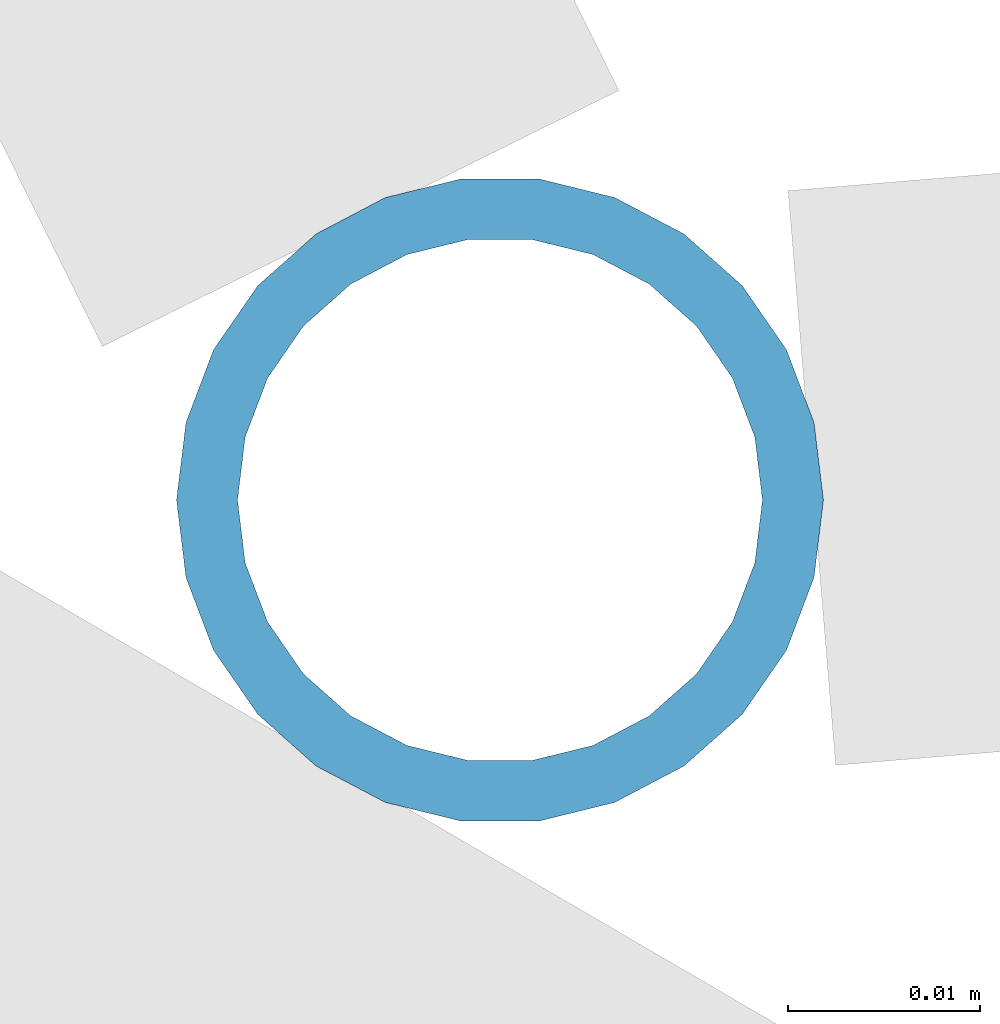
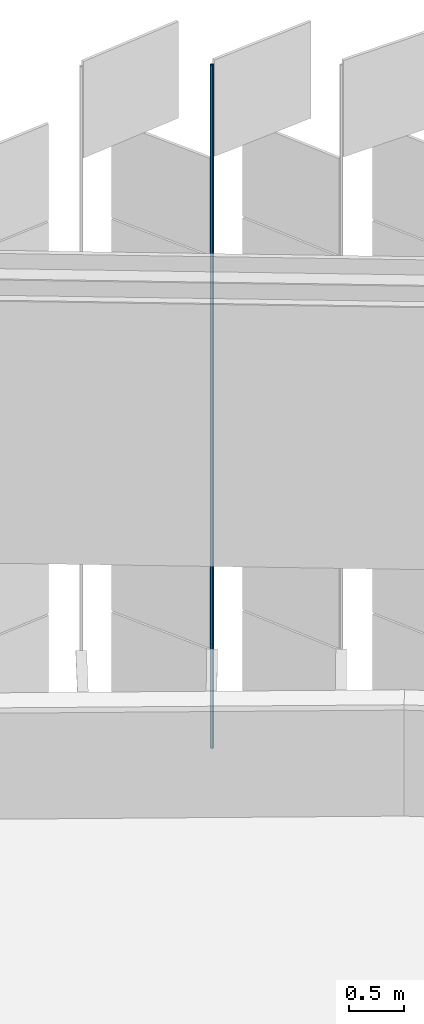
# One storey, part 397 of 483: 1 discrete accessory.
"""IFC4 building model written with IfcOpenShell, lengths in metres."""

from ifc_helpers import new_model, si_unit, direction, frame, origin, origin_2d, place, context, subcontext, project, spatial, hollow_circle, extrude, material, material_profile, profile_set, type_object, element, save


model = new_model("IFC4")

# Units and contexts
model_context = context("Model", 3, precision=1e-05, world=origin(), true_north=direction((0.0, 1.0)))
body_context = subcontext(model_context, "Body", "Model", "MODEL_VIEW")
ifc_project = project(units=[si_unit("LENGTHUNIT", "METRE"), si_unit("AREAUNIT", "SQUARE_METRE"), si_unit("VOLUMEUNIT", "CUBIC_METRE"), si_unit("PLANEANGLEUNIT", "RADIAN"), si_unit("MASSUNIT", "GRAM", prefix="KILO")], contexts=[model_context])

# Site, building, storey
site_placement = place(None, origin())
site = spatial("IfcSite", under=ifc_project, at=site_placement, CompositionType="ELEMENT")
building_placement = place(site_placement, origin())
building = spatial("IfcBuilding", under=site, at=building_placement, Name="Parallax Yard Mobility Hub", CompositionType="ELEMENT")
storey_placement = place(building_placement, frame((0.0, 0.0, 13.199951171875)))
storey = spatial("IfcBuildingStorey", under=building, at=storey_placement, Name="L04", CompositionType="ELEMENT", Elevation=13.199951171875)

# Discrete accessory
ifc_material = material(Name="Steel ASTM A500 Gr C, hot-dip galvanised", Category="steel")
ifc_material_profile = material_profile(ifc_material, hollow_circle(Radius=0.016845703125, WallThickness=0.003173828125, at=origin_2d()), Name="CHS 33.7x3.2")
ifc_profile_set = profile_set([ifc_material_profile], Name="Steel ASTM A500 Gr C, hot-dip galvanised")
discrete_accessory_type = type_object("IfcDiscreteAccessoryType", Name="Hinge post CHS 33.7x3.2", PredefinedType="BRACKET", material=ifc_profile_set)
discrete_accessory_placement = place(storey_placement, frame((198.8203125, 136.373779296875, 0.0), z_axis=(0.0, 0.0, 1.0), x_axis=(1.0, 0.0, 0.0)))
element("IfcDiscreteAccessory", 1, at=discrete_accessory_placement, inside=storey, type_object=discrete_accessory_type, Name="Hinge post bay 47.6 level L04", PredefinedType="BRACKET", context=body_context, shape_type="SweptSolid", body=[
    extrude(hollow_circle(Radius=0.016845703125, WallThickness=0.003173828125, at=origin_2d()), origin(), (0.0, 0.0, 1.0), 7.650146484375),
])

save(model, "model.ifc")
